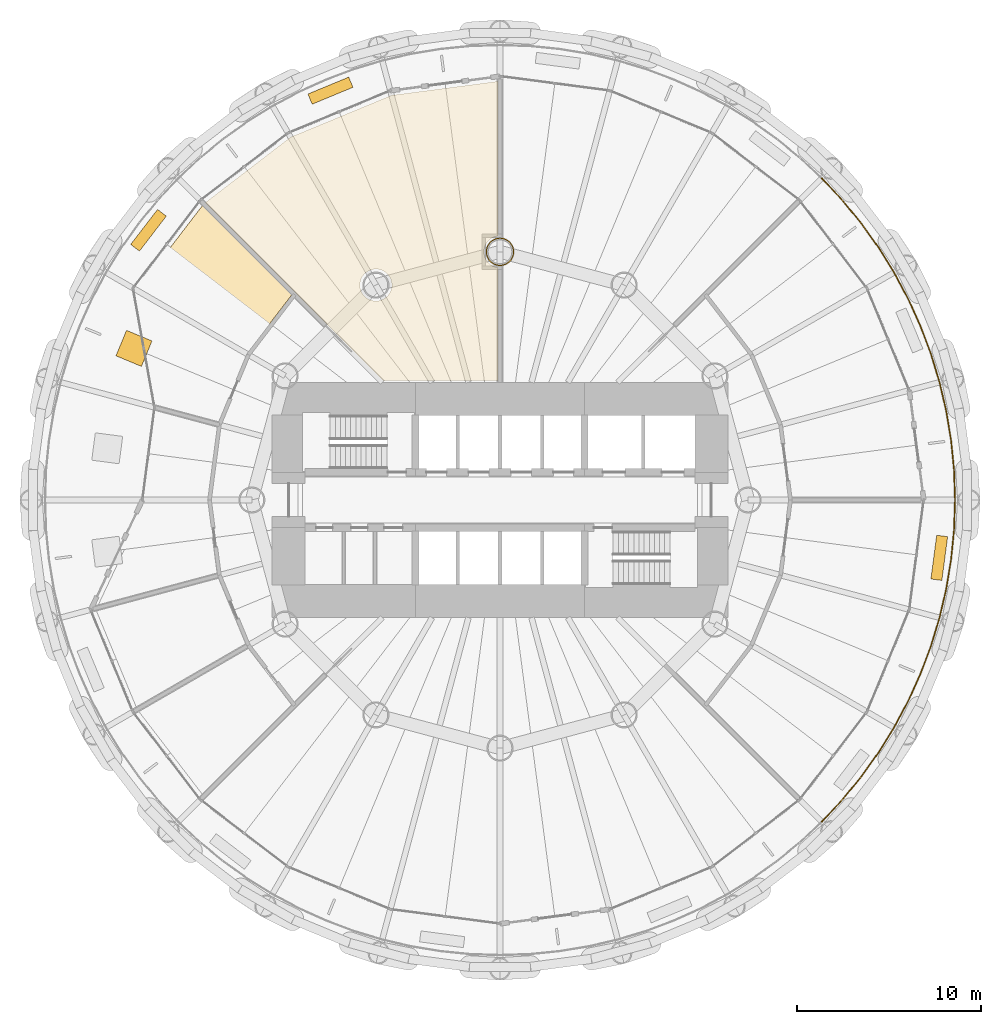
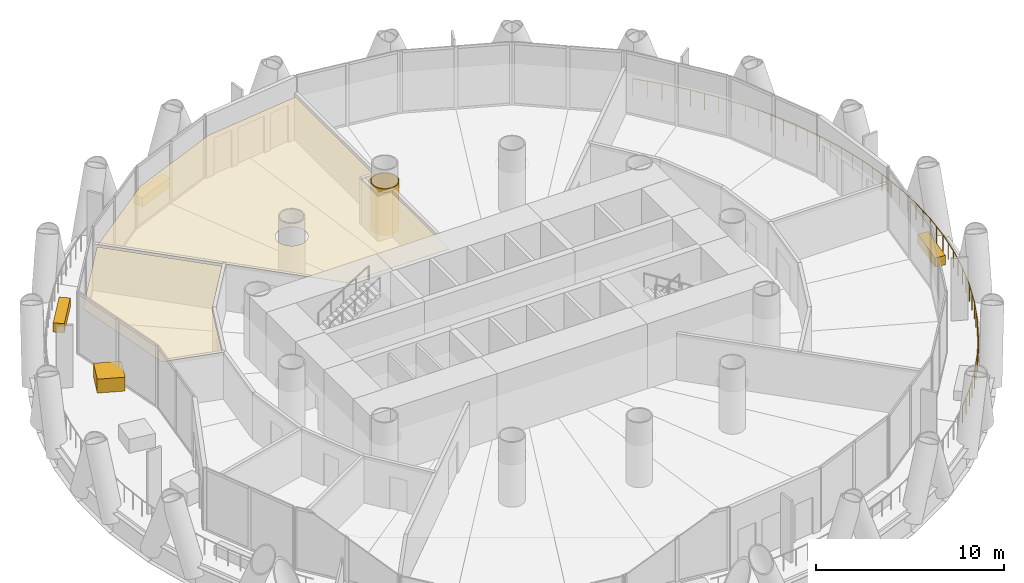
# One storey, part 14 of 15: 7 coverings, 1 railing.
"""IFC4 building model written with IfcOpenShell, lengths in metres."""

from ifc_helpers import new_model, si_unit, direction, frame, origin, origin_2d, place, context, subcontext, project, spatial, polyline, rectangle, circle, outline, extrude, material, layer, layer_set, type_object, element, save


model = new_model("IFC4")

# Units and contexts
model_context = context("Model", 3, precision=1e-05, world=origin(), true_north=direction((0.0, 1.0)))
body_context = subcontext(model_context, "Body", "Model", "MODEL_VIEW")
ifc_project = project(units=[si_unit("LENGTHUNIT", "METRE"), si_unit("AREAUNIT", "SQUARE_METRE"), si_unit("VOLUMEUNIT", "CUBIC_METRE"), si_unit("PLANEANGLEUNIT", "RADIAN"), si_unit("MASSUNIT", "GRAM", prefix="KILO")], contexts=[model_context])

# Site, building, storey
site_placement = place(None, origin())
site = spatial("IfcSite", under=ifc_project, at=site_placement, CompositionType="ELEMENT")
building_placement = place(site_placement, origin())
building = spatial("IfcBuilding", under=site, at=building_placement, Name="Qaws Media Tower", CompositionType="ELEMENT")
storey_placement = place(building_placement, frame((0.0, 0.0, 72.199951171875)))
storey = spatial("IfcBuildingStorey", under=building, at=storey_placement, Name="L15", CompositionType="ELEMENT", Elevation=72.199951171875)

# Railing
ifc_material_1 = material(Name="Stainless steel and glass guard", Category="steel")
railing_type = type_object("IfcRailingType", Name="Balcony guard 1100", PredefinedType="GUARDRAIL", material=ifc_material_1)
railing_placement = place(storey_placement, frame((77.5009765625, 32.4990234375, 0.0)))
element("IfcRailing", 1, at=railing_placement, inside=storey, type_object=railing_type, Name="GR1 balcony guard L15-4", PredefinedType="GUARDRAIL", context=body_context, shape_type="SweptSolid", body=[
    extrude(circle(Radius=0.02392578125, at=origin_2d()), frame((0.0, 0.0, 1.076171875), z_axis=(0.683590062432, 0.729866170297, 0.0), x_axis=(-0.729866170297, 0.683590062432, 0.0)), (0.0, 0.0, 1.0), 1.61962890625),
    extrude(circle(Radius=0.02392578125, at=origin_2d()), frame((1.107177734375, 1.18212890625, 1.076171875), z_axis=(0.634353572698, 0.773043042014, 0.0), x_axis=(-0.773043042014, 0.634353572698, 0.0)), (0.0, 0.0, 1.0), 1.61962890625),
    extrude(circle(Radius=0.02392578125, at=origin_2d()), frame((2.134521484375, 2.43408203125, 1.076171875), z_axis=(0.582421013826, 0.812887300094, 0.0), x_axis=(-0.812887300094, 0.582421013826, 0.0)), (0.0, 0.0, 1.0), 1.61962890625),
    extrude(circle(Radius=0.02392578125, at=origin_2d()), frame((3.077880859375, 3.750732421875, 1.076171875), z_axis=(0.528086930449, 0.849190316648, 0.0), x_axis=(-0.849190316648, 0.528086930449, 0.0)), (0.0, 0.0, 1.0), 1.619384765625),
    extrude(circle(Radius=0.02392578125, at=origin_2d()), frame((3.93310546875, 5.1259765625, 1.076171875), z_axis=(0.471346949738, 0.881947874294, 0.0), x_axis=(-0.881947874294, 0.471346949738, 0.0)), (0.0, 0.0, 1.0), 1.61962890625),
    extrude(circle(Radius=0.02392578125, at=origin_2d()), frame((4.696533203125, 6.554443359375, 1.076171875), z_axis=(0.412757736329, 0.910840848393, 0.0), x_axis=(-0.910840848393, 0.412757736329, 0.0)), (0.0, 0.0, 1.0), 1.619384765625),
    extrude(circle(Radius=0.02392578125, at=origin_2d()), frame((5.364990234375, 8.029541015625, 1.076171875), z_axis=(0.352262970537, 0.935901062927, 0.0), x_axis=(-0.935901062927, 0.352262970537, 0.0)), (0.0, 0.0, 1.0), 1.61962890625),
    extrude(circle(Radius=0.02392578125, at=origin_2d()), frame((5.935546875, 9.54541015625, 1.076171875), z_axis=(0.290333716596, 0.956925458438, 0.0), x_axis=(-0.956925458438, 0.290333716596, 0.0)), (0.0, 0.0, 1.0), 1.61962890625),
    extrude(circle(Radius=0.02392578125, at=origin_2d()), frame((6.40576171875, 11.09521484375, 1.076171875), z_axis=(0.227005652619, 0.973893440618, 0.0), x_axis=(-0.973893440618, 0.227005652619, 0.0)), (0.0, 0.0, 1.0), 1.61962890625),
    extrude(circle(Radius=0.02392578125, at=origin_2d()), frame((6.7734375, 12.672607421875, 1.076171875), z_axis=(0.162956538036, 0.986633248331, 0.0), x_axis=(-0.986633248331, 0.162956538036, 0.0)), (0.0, 0.0, 1.0), 1.61962890625),
    extrude(circle(Radius=0.02392578125, at=origin_2d()), frame((7.037353515625, 14.2705078125, 1.076171875), z_axis=(0.097981273566, 0.995188258587, 0.0), x_axis=(-0.995188258587, 0.097981273566, 0.0)), (0.0, 0.0, 1.0), 1.61962890625),
    extrude(circle(Radius=0.02392578125, at=origin_2d()), frame((7.196044921875, 15.88232421875, 1.076171875), z_axis=(0.032712498078, 0.999464803017, 0.0), x_axis=(-0.999464803017, 0.032712498078, 0.0)), (0.0, 0.0, 1.0), 1.61962890625),
    extrude(circle(Radius=0.02392578125, at=origin_2d()), frame((7.2490234375, 17.5009765625, 1.076171875), z_axis=(-0.032712498078, 0.999464803017, 0.0), x_axis=(-0.999464803017, -0.032712498078, 0.0)), (0.0, 0.0, 1.0), 1.61962890625),
    extrude(circle(Radius=0.02392578125, at=origin_2d()), frame((7.196044921875, 19.11962890625, 1.076171875), z_axis=(-0.097981273566, 0.995188258587, 0.0), x_axis=(-0.995188258587, -0.097981273566, 0.0)), (0.0, 0.0, 1.0), 1.61962890625),
    extrude(circle(Radius=0.02392578125, at=origin_2d()), frame((7.037353515625, 20.7314453125, 1.076171875), z_axis=(-0.162956538036, 0.986633248331, 0.0), x_axis=(-0.986633248331, -0.162956538036, 0.0)), (0.0, 0.0, 1.0), 1.61962890625),
    extrude(circle(Radius=0.02392578125, at=origin_2d()), frame((6.7734375, 22.329345703125, 1.076171875), z_axis=(-0.227005652619, 0.973893440618, 0.0), x_axis=(-0.973893440618, -0.227005652619, 0.0)), (0.0, 0.0, 1.0), 1.61962890625),
    extrude(circle(Radius=0.02392578125, at=origin_2d()), frame((6.40576171875, 23.90673828125, 1.076171875), z_axis=(-0.290333716596, 0.956925458438, 0.0), x_axis=(-0.956925458438, -0.290333716596, 0.0)), (0.0, 0.0, 1.0), 1.61962890625),
    extrude(circle(Radius=0.02392578125, at=origin_2d()), frame((5.935546875, 25.45654296875, 1.076171875), z_axis=(-0.352262970537, 0.935901062927, 0.0), x_axis=(-0.935901062927, -0.352262970537, 0.0)), (0.0, 0.0, 1.0), 1.61962890625),
    extrude(circle(Radius=0.02392578125, at=origin_2d()), frame((5.364990234375, 26.972412109375, 1.076171875), z_axis=(-0.412757736329, 0.910840848393, 0.0), x_axis=(-0.910840848393, -0.412757736329, 0.0)), (0.0, 0.0, 1.0), 1.619384765625),
    extrude(circle(Radius=0.02392578125, at=origin_2d()), frame((4.696533203125, 28.447509765625, 1.076171875), z_axis=(-0.471346949738, 0.881947874294, 0.0), x_axis=(-0.881947874294, -0.471346949738, 0.0)), (0.0, 0.0, 1.0), 1.61962890625),
    extrude(circle(Radius=0.02392578125, at=origin_2d()), frame((3.93310546875, 29.8759765625, 1.076171875), z_axis=(-0.528086930449, 0.849190316648, 0.0), x_axis=(-0.849190316648, -0.528086930449, 0.0)), (0.0, 0.0, 1.0), 1.619384765625),
    extrude(circle(Radius=0.02392578125, at=origin_2d()), frame((3.077880859375, 31.251220703125, 1.076171875), z_axis=(-0.582421013826, 0.812887300094, 0.0), x_axis=(-0.812887300094, -0.582421013826, 0.0)), (0.0, 0.0, 1.0), 1.61962890625),
    extrude(circle(Radius=0.02392578125, at=origin_2d()), frame((2.134521484375, 32.56787109375, 1.076171875), z_axis=(-0.634353572698, 0.773043042014, 0.0), x_axis=(-0.773043042014, -0.634353572698, 0.0)), (0.0, 0.0, 1.0), 1.61962890625),
    extrude(circle(Radius=0.02392578125, at=origin_2d()), frame((1.107177734375, 33.81982421875, 1.076171875), z_axis=(-0.683590062432, 0.729866170297, 0.0), x_axis=(-0.729866170297, -0.683590062432, 0.0)), (0.0, 0.0, 1.0), 1.61962890625),
    extrude(circle(Radius=0.02099609375, at=origin_2d()), origin(), (0.0, 0.0, 1.0), 1.052001953125),
    extrude(circle(Radius=0.02099609375, at=origin_2d()), frame((0.5537109375, 0.591064453125, 0.0)), (0.0, 0.0, 1.0), 1.052001953125),
    extrude(circle(Radius=0.02099609375, at=origin_2d()), frame((1.107177734375, 1.18212890625, 0.0)), (0.0, 0.0, 1.0), 1.052001953125),
    extrude(circle(Radius=0.02099609375, at=origin_2d()), frame((1.620849609375, 1.80810546875, 0.0)), (0.0, 0.0, 1.0), 1.052001953125),
    extrude(circle(Radius=0.02099609375, at=origin_2d()), frame((2.134521484375, 2.43408203125, 0.0)), (0.0, 0.0, 1.0), 1.052001953125),
    extrude(circle(Radius=0.02099609375, at=origin_2d()), frame((2.606201171875, 3.09228515625, 0.0)), (0.0, 0.0, 1.0), 1.052001953125),
    extrude(circle(Radius=0.02099609375, at=origin_2d()), frame((3.077880859375, 3.750732421875, 0.0)), (0.0, 0.0, 1.0), 1.052001953125),
    extrude(circle(Radius=0.02099609375, at=origin_2d()), frame((3.50537109375, 4.4384765625, 0.0)), (0.0, 0.0, 1.0), 1.052001953125),
    extrude(circle(Radius=0.02099609375, at=origin_2d()), frame((3.93310546875, 5.1259765625, 0.0)), (0.0, 0.0, 1.0), 1.052001953125),
    extrude(circle(Radius=0.02099609375, at=origin_2d()), frame((4.31494140625, 5.84033203125, 0.0)), (0.0, 0.0, 1.0), 1.052001953125),
    extrude(circle(Radius=0.02099609375, at=origin_2d()), frame((4.696533203125, 6.554443359375, 0.0)), (0.0, 0.0, 1.0), 1.052001953125),
    extrude(circle(Radius=0.02099609375, at=origin_2d()), frame((5.03076171875, 7.2919921875, 0.0)), (0.0, 0.0, 1.0), 1.052001953125),
    extrude(circle(Radius=0.02099609375, at=origin_2d()), frame((5.364990234375, 8.029541015625, 0.0)), (0.0, 0.0, 1.0), 1.052001953125),
    extrude(circle(Radius=0.02099609375, at=origin_2d()), frame((5.650390625, 8.78759765625, 0.0)), (0.0, 0.0, 1.0), 1.052001953125),
    extrude(circle(Radius=0.02099609375, at=origin_2d()), frame((5.935546875, 9.54541015625, 0.0)), (0.0, 0.0, 1.0), 1.052001953125),
    extrude(circle(Radius=0.02099609375, at=origin_2d()), frame((6.170654296875, 10.3203125, 0.0)), (0.0, 0.0, 1.0), 1.052001953125),
    extrude(circle(Radius=0.02099609375, at=origin_2d()), frame((6.40576171875, 11.09521484375, 0.0)), (0.0, 0.0, 1.0), 1.052001953125),
    extrude(circle(Radius=0.02099609375, at=origin_2d()), frame((6.589599609375, 11.8837890625, 0.0)), (0.0, 0.0, 1.0), 1.052001953125),
    extrude(circle(Radius=0.02099609375, at=origin_2d()), frame((6.7734375, 12.672607421875, 0.0)), (0.0, 0.0, 1.0), 1.052001953125),
    extrude(circle(Radius=0.02099609375, at=origin_2d()), frame((6.9052734375, 13.4716796875, 0.0)), (0.0, 0.0, 1.0), 1.052001953125),
    extrude(circle(Radius=0.02099609375, at=origin_2d()), frame((7.037353515625, 14.2705078125, 0.0)), (0.0, 0.0, 1.0), 1.052001953125),
    extrude(circle(Radius=0.02099609375, at=origin_2d()), frame((7.11669921875, 15.076416015625, 0.0)), (0.0, 0.0, 1.0), 1.052001953125),
    extrude(circle(Radius=0.02099609375, at=origin_2d()), frame((7.196044921875, 15.88232421875, 0.0)), (0.0, 0.0, 1.0), 1.052001953125),
    extrude(circle(Radius=0.02099609375, at=origin_2d()), frame((7.22265625, 16.691650390625, 0.0)), (0.0, 0.0, 1.0), 1.052001953125),
    extrude(circle(Radius=0.02099609375, at=origin_2d()), frame((7.2490234375, 17.5009765625, 0.0)), (0.0, 0.0, 1.0), 1.052001953125),
    extrude(circle(Radius=0.02099609375, at=origin_2d()), frame((7.22265625, 18.310302734375, 0.0)), (0.0, 0.0, 1.0), 1.052001953125),
    extrude(circle(Radius=0.02099609375, at=origin_2d()), frame((7.196044921875, 19.11962890625, 0.0)), (0.0, 0.0, 1.0), 1.052001953125),
    extrude(circle(Radius=0.02099609375, at=origin_2d()), frame((7.11669921875, 19.925537109375, 0.0)), (0.0, 0.0, 1.0), 1.052001953125),
    extrude(circle(Radius=0.02099609375, at=origin_2d()), frame((7.037353515625, 20.7314453125, 0.0)), (0.0, 0.0, 1.0), 1.052001953125),
    extrude(circle(Radius=0.02099609375, at=origin_2d()), frame((6.9052734375, 21.5302734375, 0.0)), (0.0, 0.0, 1.0), 1.052001953125),
    extrude(circle(Radius=0.02099609375, at=origin_2d()), frame((6.7734375, 22.329345703125, 0.0)), (0.0, 0.0, 1.0), 1.052001953125),
    extrude(circle(Radius=0.02099609375, at=origin_2d()), frame((6.589599609375, 23.1181640625, 0.0)), (0.0, 0.0, 1.0), 1.052001953125),
    extrude(circle(Radius=0.02099609375, at=origin_2d()), frame((6.40576171875, 23.90673828125, 0.0)), (0.0, 0.0, 1.0), 1.052001953125),
    extrude(circle(Radius=0.02099609375, at=origin_2d()), frame((6.170654296875, 24.681640625, 0.0)), (0.0, 0.0, 1.0), 1.052001953125),
    extrude(circle(Radius=0.02099609375, at=origin_2d()), frame((5.935546875, 25.45654296875, 0.0)), (0.0, 0.0, 1.0), 1.052001953125),
    extrude(circle(Radius=0.02099609375, at=origin_2d()), frame((5.650390625, 26.21435546875, 0.0)), (0.0, 0.0, 1.0), 1.052001953125),
    extrude(circle(Radius=0.02099609375, at=origin_2d()), frame((5.364990234375, 26.972412109375, 0.0)), (0.0, 0.0, 1.0), 1.052001953125),
    extrude(circle(Radius=0.02099609375, at=origin_2d()), frame((5.03076171875, 27.7099609375, 0.0)), (0.0, 0.0, 1.0), 1.052001953125),
    extrude(circle(Radius=0.02099609375, at=origin_2d()), frame((4.696533203125, 28.447509765625, 0.0)), (0.0, 0.0, 1.0), 1.052001953125),
    extrude(circle(Radius=0.02099609375, at=origin_2d()), frame((4.31494140625, 29.16162109375, 0.0)), (0.0, 0.0, 1.0), 1.052001953125),
    extrude(circle(Radius=0.02099609375, at=origin_2d()), frame((3.93310546875, 29.8759765625, 0.0)), (0.0, 0.0, 1.0), 1.052001953125),
    extrude(circle(Radius=0.02099609375, at=origin_2d()), frame((3.50537109375, 30.5634765625, 0.0)), (0.0, 0.0, 1.0), 1.052001953125),
    extrude(circle(Radius=0.02099609375, at=origin_2d()), frame((3.077880859375, 31.251220703125, 0.0)), (0.0, 0.0, 1.0), 1.052001953125),
    extrude(circle(Radius=0.02099609375, at=origin_2d()), frame((2.606201171875, 31.90966796875, 0.0)), (0.0, 0.0, 1.0), 1.052001953125),
    extrude(circle(Radius=0.02099609375, at=origin_2d()), frame((2.134521484375, 32.56787109375, 0.0)), (0.0, 0.0, 1.0), 1.052001953125),
    extrude(circle(Radius=0.02099609375, at=origin_2d()), frame((1.620849609375, 33.19384765625, 0.0)), (0.0, 0.0, 1.0), 1.052001953125),
    extrude(circle(Radius=0.02099609375, at=origin_2d()), frame((1.107177734375, 33.81982421875, 0.0)), (0.0, 0.0, 1.0), 1.052001953125),
    extrude(circle(Radius=0.02099609375, at=origin_2d()), frame((0.5537109375, 34.410888671875, 0.0)), (0.0, 0.0, 1.0), 1.052001953125),
    extrude(circle(Radius=0.02099609375, at=origin_2d()), frame((0.0, 35.001953125, 0.0)), (0.0, 0.0, 1.0), 1.052001953125),
])

# Coverings
ifc_material_2 = material(Name="Two layers 15 fire-rated gypsum board on steel framing", Category="steel")
ifc_layer_1 = layer(ifc_material_2, 0.050048828125)
ifc_layer_set_1 = layer_set([ifc_layer_1], Name="Column fire casing")
covering_type_1 = type_object("IfcCoveringType", Name="Column fire casing", PredefinedType="CLADDING", material=ifc_layer_set_1)
covering_1_placement = place(storey_placement, origin())
element("IfcCovering", 2, at=covering_1_placement, inside=storey, type_object=covering_type_1, Name="CC1 column casing L15", PredefinedType="CLADDING", context=body_context, shape_type="SweptSolid", body=[
    extrude(outline(polyline([(60.76611328125, 63.5), (60.759521484375, 63.39990234375), (60.739990234375, 63.3017578125), (60.707763671875, 63.206787109375), (60.663330078125, 63.116943359375), (60.607666015625, 63.03369140625), (60.54150390625, 62.95849609375), (60.46630859375, 62.892333984375), (60.383056640625, 62.836669921875), (60.293212890625, 62.792236328125), (60.1982421875, 62.760009765625), (60.10009765625, 62.740478515625), (60.0, 62.73388671875), (59.89990234375, 62.740478515625), (59.8017578125, 62.760009765625), (59.706787109375, 62.792236328125), (59.616943359375, 62.836669921875), (59.53369140625, 62.892333984375), (59.45849609375, 62.95849609375), (59.392333984375, 63.03369140625), (59.336669921875, 63.116943359375), (59.292236328125, 63.206787109375), (59.260009765625, 63.3017578125), (59.240478515625, 63.39990234375), (59.23388671875, 63.5), (59.240478515625, 63.60009765625), (59.260009765625, 63.6982421875), (59.292236328125, 63.793212890625), (59.336669921875, 63.883056640625), (59.392333984375, 63.96630859375), (59.45849609375, 64.04150390625), (59.53369140625, 64.107666015625), (59.616943359375, 64.163330078125), (59.706787109375, 64.207763671875), (59.8017578125, 64.239990234375), (59.89990234375, 64.259521484375), (60.0, 64.26611328125), (60.10009765625, 64.259521484375), (60.1982421875, 64.239990234375), (60.293212890625, 64.207763671875), (60.383056640625, 64.163330078125), (60.46630859375, 64.107666015625), (60.54150390625, 64.04150390625), (60.607666015625, 63.96630859375), (60.663330078125, 63.883056640625), (60.707763671875, 63.793212890625), (60.739990234375, 63.6982421875), (60.759521484375, 63.60009765625), (60.76611328125, 63.5)]), holes=[polyline([(60.714111328125, 63.5), (60.7080078125, 63.40673828125), (60.689697265625, 63.315185546875), (60.65966796875, 63.226806640625), (60.618408203125, 63.14306640625), (60.56640625, 63.065185546875), (60.5048828125, 62.9951171875), (60.434814453125, 62.93359375), (60.35693359375, 62.881591796875), (60.273193359375, 62.84033203125), (60.184814453125, 62.810302734375), (60.09326171875, 62.7919921875), (60.0, 62.785888671875), (59.90673828125, 62.7919921875), (59.815185546875, 62.810302734375), (59.726806640625, 62.84033203125), (59.64306640625, 62.881591796875), (59.565185546875, 62.93359375), (59.4951171875, 62.9951171875), (59.43359375, 63.065185546875), (59.381591796875, 63.14306640625), (59.34033203125, 63.226806640625), (59.310302734375, 63.315185546875), (59.2919921875, 63.40673828125), (59.285888671875, 63.5), (59.2919921875, 63.59326171875), (59.310302734375, 63.684814453125), (59.34033203125, 63.773193359375), (59.381591796875, 63.85693359375), (59.43359375, 63.934814453125), (59.4951171875, 64.0048828125), (59.565185546875, 64.06640625), (59.64306640625, 64.118408203125), (59.726806640625, 64.15966796875), (59.815185546875, 64.189697265625), (59.90673828125, 64.2080078125), (60.0, 64.214111328125), (60.09326171875, 64.2080078125), (60.184814453125, 64.189697265625), (60.273193359375, 64.15966796875), (60.35693359375, 64.118408203125), (60.434814453125, 64.06640625), (60.5048828125, 64.0048828125), (60.56640625, 63.934814453125), (60.618408203125, 63.85693359375), (60.65966796875, 63.773193359375), (60.689697265625, 63.684814453125), (60.7080078125, 63.59326171875), (60.714111328125, 63.5)])]), origin(), (0.0, 0.0, 1.0), 3.02001953125),
])
ifc_material_3 = material(Name="600 x 600 mineral fibre tiles in exposed grid, suspended", Category="mineral fibre")
ifc_layer_2 = layer(ifc_material_3, 0.02001953125)
ifc_layer_set_2 = layer_set([ifc_layer_2], Name="Mineral fibre tile ceiling 20")
covering_type_2 = type_object("IfcCoveringType", Name="Mineral fibre tile ceiling 20", PredefinedType="CEILING", material=ifc_layer_set_2)
covering_2_placement = place(storey_placement, frame((0.0, 0.0, 2.85009765625)))
element("IfcCovering", 3, at=covering_2_placement, inside=storey, type_object=covering_type_2, Name="CL1 ceiling L15-04 Social media desk", PredefinedType="CEILING", context=body_context, shape_type="SweptSolid", body=[
    extrude(outline(polyline([(48.607421875, 69.732666015625), (54.102783203125, 72.0087890625), (59.887451171875, 72.7705078125), (59.887451171875, 64.363525390625), (59.774658203125, 64.34130859375), (59.666748046875, 64.3046875), (59.564453125, 64.25439453125), (59.4697265625, 64.19091796875), (59.384033203125, 64.115966796875), (59.30908203125, 64.0302734375), (59.24560546875, 63.935546875), (59.1953125, 63.833251953125), (59.15869140625, 63.725341796875), (59.136474609375, 63.61376953125), (59.12890625, 63.5), (59.136474609375, 63.38623046875), (59.15869140625, 63.274658203125), (59.1953125, 63.166748046875), (59.24560546875, 63.064453125), (59.30908203125, 62.9697265625), (59.384033203125, 62.884033203125), (59.4697265625, 62.80908203125), (59.564453125, 62.74560546875), (59.666748046875, 62.6953125), (59.774658203125, 62.65869140625), (59.887451171875, 62.636474609375), (59.887451171875, 56.512451171875), (53.646484375, 56.512451171875), (43.978515625, 66.1806640625), (48.607421875, 69.732666015625)]), holes=[polyline([(54.0546875, 61.35791015625), (54.09130859375, 61.4658203125), (54.113525390625, 61.57763671875), (54.12109375, 61.69140625), (54.113525390625, 61.804931640625), (54.09130859375, 61.916748046875), (54.0546875, 62.024658203125), (54.00439453125, 62.126708984375), (53.94091796875, 62.2216796875), (53.865966796875, 62.30712890625), (53.7802734375, 62.38232421875), (53.685546875, 62.44580078125), (53.583251953125, 62.49609375), (53.475341796875, 62.53271484375), (53.36376953125, 62.554931640625), (53.25, 62.562255859375), (53.13623046875, 62.554931640625), (53.024658203125, 62.53271484375), (52.916748046875, 62.49609375), (52.814453125, 62.44580078125), (52.7197265625, 62.38232421875), (52.634033203125, 62.30712890625), (52.55908203125, 62.2216796875), (52.49560546875, 62.126708984375), (52.4453125, 62.024658203125), (52.40869140625, 61.916748046875), (52.386474609375, 61.804931640625), (52.37890625, 61.69140625), (52.386474609375, 61.57763671875), (52.40869140625, 61.4658203125), (52.4453125, 61.35791015625), (52.49560546875, 61.255859375), (52.55908203125, 61.1611328125), (52.634033203125, 61.075439453125), (52.7197265625, 61.000244140625), (52.814453125, 60.93701171875), (52.916748046875, 60.88671875), (53.024658203125, 60.85009765625), (53.13623046875, 60.827880859375), (53.25, 60.8203125), (53.36376953125, 60.827880859375), (53.475341796875, 60.85009765625), (53.583251953125, 60.88671875), (53.685546875, 60.93701171875), (53.7802734375, 61.000244140625), (53.865966796875, 61.075439453125), (53.94091796875, 61.1611328125), (54.00439453125, 61.255859375), (54.0546875, 61.35791015625)])]), origin(), (0.0, 0.0, 1.0), 0.02001953125),
])
covering_3_placement = place(storey_placement, frame((0.0, 0.0, 2.85009765625)))
element("IfcCovering", 4, at=covering_3_placement, inside=storey, type_object=covering_type_2, Name="CL1 ceiling L15-05 Graphics studio", PredefinedType="CEILING", context=body_context, shape_type="SweptSolid", body=[
    extrude(outline(polyline([(40.317138671875, 61.45751953125), (43.8193359375, 66.021484375), (48.678466796875, 61.16259765625), (46.218505859375, 57.956787109375), (44.672119140625, 54.223388671875), (41.470947265625, 55.081298828125), (40.317138671875, 61.45751953125)])), origin(), (0.0, 0.0, 1.0), 0.02001953125),
])
ifc_material_4 = material(Name="Precast concrete planter with trailing planting", Category="concrete")
ifc_layer_3 = layer(ifc_material_4, 0.60009765625)
ifc_layer_set_3 = layer_set([ifc_layer_3], Name="Planter 2400x600")
covering_type_3 = type_object("IfcCoveringType", Name="Planter 2400x600", PredefinedType="USERDEFINED", material=ifc_layer_set_3)
for number, where, z_axis, x_axis, name in (
    (5, (50.77734375, 72.265380859375, 0.0), (0.0, 0.0, 1.0), (-0.923879532511, -0.382683432365, 0.0), "PL1 balcony planter L15-04"),
    (6, (40.880126953125, 64.671142578125, 0.0), (0.0, 0.0, 1.0), (-0.608761429009, -0.793353340291, 0.0), "PL1 balcony planter L15-05"),
    (7, (83.893798828125, 46.854248046875, 0.0), (0.0, 0.0, 1.0), (0.13052619222, 0.991444861374, 0.0), "PL1 balcony planter L15-12"),
):
    element("IfcCovering", number, at=place(storey_placement, frame(where, z_axis=z_axis, x_axis=x_axis)), inside=storey, type_object=covering_type_3, Name=name, ObjectType="PLANTER", PredefinedType="USERDEFINED", context=body_context, shape_type="SweptSolid", body=[
        extrude(rectangle(XDim=2.39990234375, YDim=0.60009765625, at=origin_2d()), origin(), (0.0, 0.0, 1.0), 0.60009765625),
    ])
ifc_material_5 = material(Name="Precast concrete tree planter", Category="concrete")
ifc_layer_4 = layer(ifc_material_5, 0.89990234375)
ifc_layer_set_4 = layer_set([ifc_layer_4], Name="Tree planter 1500")
covering_type_4 = type_object("IfcCoveringType", Name="Tree planter 1500", PredefinedType="USERDEFINED", material=ifc_layer_set_4)
covering_4_placement = place(storey_placement, frame((40.09033203125, 58.246826171875, 0.0), z_axis=(0.0, 0.0, 1.0), x_axis=(-0.923879532511, 0.382683432365, 0.0)))
element("IfcCovering", 8, at=covering_4_placement, inside=storey, type_object=covering_type_4, Name="PL2 sky garden tree planter L15-1", ObjectType="PLANTER", PredefinedType="USERDEFINED", context=body_context, shape_type="SweptSolid", body=[
    extrude(rectangle(XDim=1.5, YDim=1.5, at=origin_2d()), origin(), (0.0, 0.0, 1.0), 0.89990234375),
])

save(model, "model.ifc")
